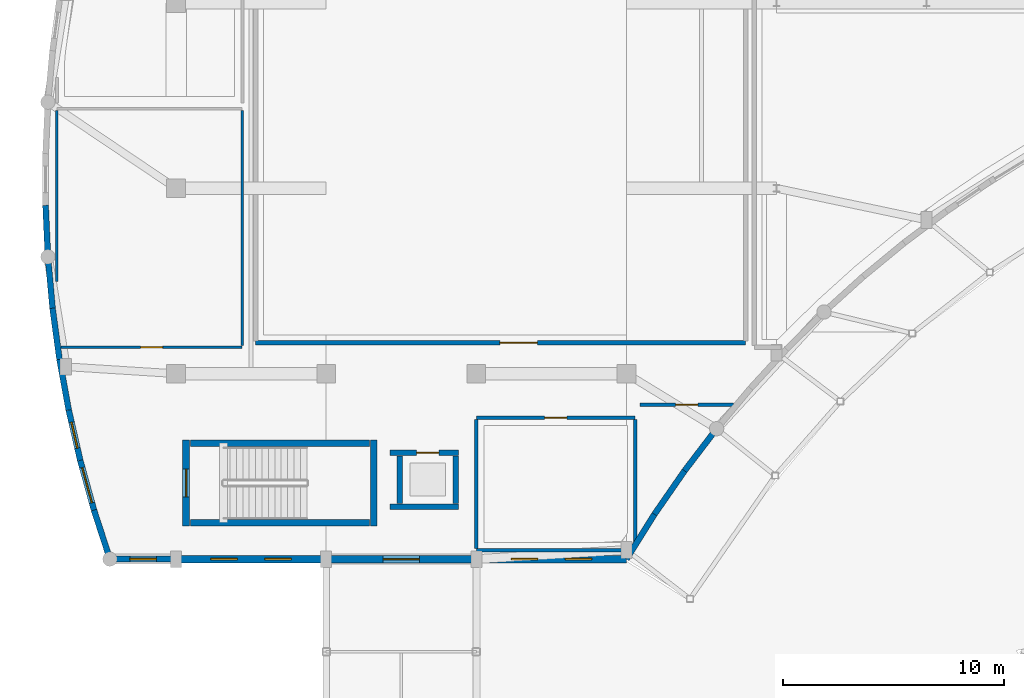
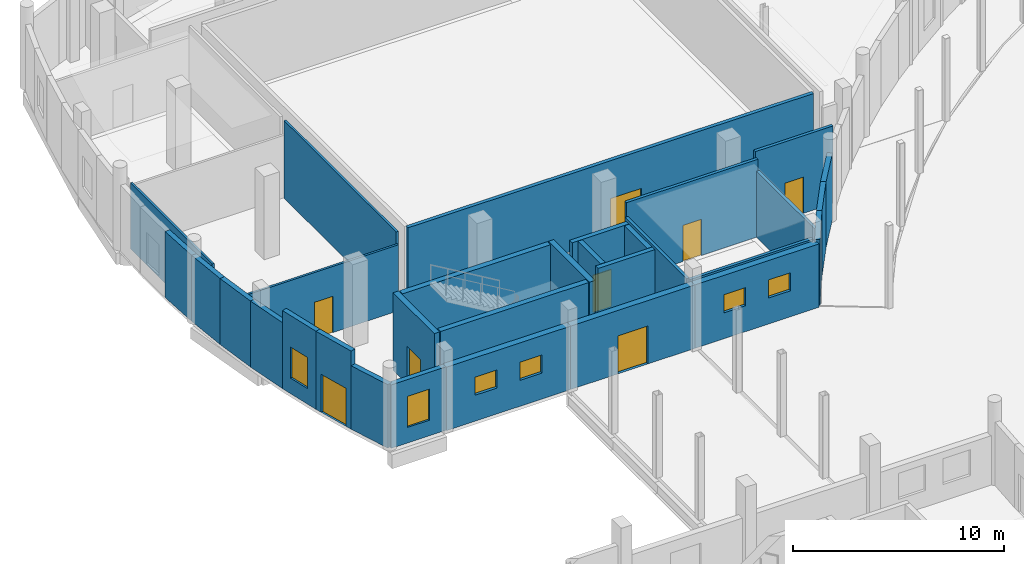
# One storey, part 65 of 97: 31 walls, 8 doors, 6 windows, 14 openings.
"""IFC4 building model written with IfcOpenShell, lengths in metres."""

from ifc_helpers import new_model, si_unit, direction, frame, frame_2d, origin, place, context, subcontext, project, spatial, rectangle, extrude, material, layer, layer_set, type_object, element, fill, save


model = new_model("IFC4")

# Units and contexts
model_context = context("Model", 3, precision=1e-05, world=origin(), true_north=direction((0.0, 1.0)))
body_context = subcontext(model_context, "Body", "Model", "MODEL_VIEW")
ifc_project = project(units=[si_unit("LENGTHUNIT", "METRE"), si_unit("AREAUNIT", "SQUARE_METRE"), si_unit("VOLUMEUNIT", "CUBIC_METRE"), si_unit("PLANEANGLEUNIT", "RADIAN"), si_unit("MASSUNIT", "GRAM", prefix="KILO")], contexts=[model_context])

# Site, building, storey
site_placement = place(None, origin())
site = spatial("IfcSite", under=ifc_project, at=site_placement, CompositionType="ELEMENT")
building_placement = place(site_placement, origin())
building = spatial("IfcBuilding", under=site, at=building_placement, Name="Kisaragi Civic Commons", CompositionType="ELEMENT")
storey_placement = place(building_placement, origin())
storey = spatial("IfcBuildingStorey", under=building, at=storey_placement, Name="L00", CompositionType="ELEMENT", Elevation=0.0)

# Wall, openings, windows
ifc_material_1 = material(Name="Insulated Tokoname terracotta cavity wall", Category="masonry")
ifc_layer_1 = layer(ifc_material_1, 0.35009765625, Name="Insulated Tokoname terracotta cavity wall", Category="masonry")
ifc_layer_set_1 = layer_set([ifc_layer_1], Name="Insulated Tokoname terracotta cavity wall")
wall_type_1 = type_object("IfcWallType", Name="EW-02", PredefinedType="STANDARD", material=ifc_layer_set_1)
wall_1_placement = place(storey_placement, frame((27.199951171875, 79.199951171875, 0.0), z_axis=(0.0, 0.0, 1.0), x_axis=(-1.0, 0.0, 0.0)))
wall_1 = element("IfcWall", 1, at=wall_1_placement, inside=storey, type_object=wall_type_1, Name="V2 L00 exterior terracotta wall EW-02 179", PredefinedType="STANDARD", context=body_context, shape_type="SweptSolid", body=[
    extrude(rectangle(XDim=6.800048828125, YDim=0.35009765625, at=frame_2d((3.39990234375, 0.0))), origin(), (0.0, 0.0, 1.0), 3.669921875),
])
opening_1_placement = place(wall_1_placement, frame((1.575927734375, 0.0, 1.5)))
opening_1 = element("IfcOpeningElement", 2, at=opening_1_placement, cuts=wall_1, Name="Opening W-09", PredefinedType="OPENING", context=body_context, shape_type="SweptSolid", body=[
    extrude(rectangle(XDim=1.199951171875, YDim=1.050048828125, at=frame_2d((0.60009765625, 0.52490234375))), frame((0.0, 0.18505859375, 0.0), z_axis=(0.0, -1.0, 0.0), x_axis=(1.0, 0.0, 0.0)), (0.0, 0.0, 1.0), 0.3701171875),
])
opening_2_placement = place(wall_1_placement, frame((4.02392578125, 0.0, 1.5)))
opening_2 = element("IfcOpeningElement", 3, at=opening_2_placement, cuts=wall_1, Name="Opening W-09", PredefinedType="OPENING", context=body_context, shape_type="SweptSolid", body=[
    extrude(rectangle(XDim=1.199951171875, YDim=1.050048828125, at=frame_2d((0.60009765625, 0.52490234375))), frame((0.0, 0.18505859375, 0.0), z_axis=(0.0, -1.0, 0.0), x_axis=(1.0, 0.0, 0.0)), (0.0, 0.0, 1.0), 0.3701171875),
])
ifc_material_2 = material(Name="Thermally broken aluminium frame and low-E argon double glazing", Category="aluminium")
window_type_1 = type_object("IfcWindowType", Name="W-09", PartitioningType="SINGLE_PANEL", PredefinedType="WINDOW", material=ifc_material_2)
window_1_placement = place(opening_1_placement, origin())
window_1 = element("IfcWindow", 4, at=window_1_placement, inside=storey, type_object=window_type_1, Name="V2 L00 window W-09 51", OverallHeight=1.050048828125, OverallWidth=1.199951171875, PartitioningType="SINGLE_PANEL", PredefinedType="WINDOW", context=body_context, shape_type="SweptSolid", body=[
    extrude(rectangle(XDim=1.199951171875, YDim=1.050048828125, at=frame_2d((0.60009765625, 0.52490234375))), frame((0.0, 0.030029296875, 0.0), z_axis=(0.0, -1.0, 0.0), x_axis=(1.0, 0.0, 0.0)), (0.0, 0.0, 1.0), 0.06005859375),
])
fill(opening_1, window_1)
window_2_placement = place(opening_2_placement, origin())
window_2 = element("IfcWindow", 5, at=window_2_placement, inside=storey, type_object=window_type_1, Name="V2 L00 window W-09 52", OverallHeight=1.050048828125, OverallWidth=1.199951171875, PartitioningType="SINGLE_PANEL", PredefinedType="WINDOW", context=body_context, shape_type="SweptSolid", body=[
    extrude(rectangle(XDim=1.199951171875, YDim=1.050048828125, at=frame_2d((0.60009765625, 0.52490234375))), frame((0.0, 0.030029296875, 0.0), z_axis=(0.0, -1.0, 0.0), x_axis=(1.0, 0.0, 0.0)), (0.0, 0.0, 1.0), 0.06005859375),
])
fill(opening_2, window_2)

# Wall, opening, door
wall_2_placement = place(storey_placement, frame((20.39990234375, 79.199951171875, 0.0), z_axis=(0.0, 0.0, 1.0), x_axis=(-1.0, 0.0, 0.0)))
wall_2 = element("IfcWall", 6, at=wall_2_placement, inside=storey, type_object=wall_type_1, Name="V2 L00 exterior terracotta wall EW-02 180", PredefinedType="STANDARD", context=body_context, shape_type="SweptSolid", body=[
    extrude(rectangle(XDim=6.7998046875, YDim=0.35009765625, at=frame_2d((3.39990234375, 0.0))), origin(), (0.0, 0.0, 1.0), 3.669921875),
])
opening_3_placement = place(wall_2_placement, frame((2.574951171875, 0.0, 0.0)))
opening_3 = element("IfcOpeningElement", 7, at=opening_3_placement, cuts=wall_2, Name="Opening ED-D", PredefinedType="OPENING", context=body_context, shape_type="SweptSolid", body=[
    extrude(rectangle(XDim=1.64990234375, YDim=2.199951171875, at=frame_2d((0.824951171875, 1.10009765625))), frame((0.0, 0.18505859375, 0.0), z_axis=(0.0, -1.0, 0.0), x_axis=(1.0, 0.0, 0.0)), (0.0, 0.0, 1.0), 0.3701171875),
])
ifc_material_3 = material(Name="Thermally broken anodized aluminium glazed exit door", Category="aluminium")
door_type_1 = type_object("IfcDoorType", Name="ED-D", OperationType="NOTDEFINED", PredefinedType="DOOR", material=ifc_material_3)
door_1_placement = place(opening_3_placement, origin())
door_1 = element("IfcDoor", 8, at=door_1_placement, inside=storey, type_object=door_type_1, Name="Ground exterior exit and veranda door ED-D 11", OperationType="DOUBLE_DOOR_SINGLE_SWING", OverallHeight=2.199951171875, OverallWidth=1.64990234375, PredefinedType="DOOR", context=body_context, shape_type="SweptSolid", body=[
    extrude(rectangle(XDim=1.64990234375, YDim=2.199951171875, at=frame_2d((0.824951171875, 1.10009765625))), frame((0.0, 0.02490234375, 0.0), z_axis=(0.0, -1.0, 0.0), x_axis=(1.0, 0.0, 0.0)), (0.0, 0.0, 1.0), 0.050048828125),
])
fill(opening_3, door_1)

# Wall, openings, windows
wall_3_placement = place(storey_placement, frame((13.60009765625, 79.199951171875, 0.0), z_axis=(0.0, 0.0, 1.0), x_axis=(-1.0, 0.0, 0.0)))
wall_3 = element("IfcWall", 9, at=wall_3_placement, inside=storey, type_object=wall_type_1, Name="V2 L00 exterior terracotta wall EW-02 181", PredefinedType="STANDARD", context=body_context, shape_type="SweptSolid", body=[
    extrude(rectangle(XDim=6.800048828125, YDim=0.35009765625, at=frame_2d((3.39990234375, 0.0))), origin(), (0.0, 0.0, 1.0), 3.669921875),
])
opening_4_placement = place(wall_3_placement, frame((1.575927734375, 0.0, 1.5)))
opening_4 = element("IfcOpeningElement", 10, at=opening_4_placement, cuts=wall_3, Name="Opening W-09", PredefinedType="OPENING", context=body_context, shape_type="SweptSolid", body=[
    extrude(rectangle(XDim=1.199951171875, YDim=1.050048828125, at=frame_2d((0.60009765625, 0.52490234375))), frame((0.0, 0.18505859375, 0.0), z_axis=(0.0, -1.0, 0.0), x_axis=(1.0, 0.0, 0.0)), (0.0, 0.0, 1.0), 0.3701171875),
])
opening_5_placement = place(wall_3_placement, frame((4.02392578125, 0.0, 1.5)))
opening_5 = element("IfcOpeningElement", 11, at=opening_5_placement, cuts=wall_3, Name="Opening W-09", PredefinedType="OPENING", context=body_context, shape_type="SweptSolid", body=[
    extrude(rectangle(XDim=1.199951171875, YDim=1.050048828125, at=frame_2d((0.60009765625, 0.52490234375))), frame((0.0, 0.18505859375, 0.0), z_axis=(0.0, -1.0, 0.0), x_axis=(1.0, 0.0, 0.0)), (0.0, 0.0, 1.0), 0.3701171875),
])
window_3_placement = place(opening_4_placement, origin())
window_3 = element("IfcWindow", 12, at=window_3_placement, inside=storey, type_object=window_type_1, Name="V2 L00 window W-09 53", OverallHeight=1.050048828125, OverallWidth=1.199951171875, PartitioningType="SINGLE_PANEL", PredefinedType="WINDOW", context=body_context, shape_type="SweptSolid", body=[
    extrude(rectangle(XDim=1.199951171875, YDim=1.050048828125, at=frame_2d((0.60009765625, 0.52490234375))), frame((0.0, 0.030029296875, 0.0), z_axis=(0.0, -1.0, 0.0), x_axis=(1.0, 0.0, 0.0)), (0.0, 0.0, 1.0), 0.06005859375),
])
fill(opening_4, window_3)
window_4_placement = place(opening_5_placement, origin())
window_4 = element("IfcWindow", 13, at=window_4_placement, inside=storey, type_object=window_type_1, Name="V2 L00 window W-09 54", OverallHeight=1.050048828125, OverallWidth=1.199951171875, PartitioningType="SINGLE_PANEL", PredefinedType="WINDOW", context=body_context, shape_type="SweptSolid", body=[
    extrude(rectangle(XDim=1.199951171875, YDim=1.050048828125, at=frame_2d((0.60009765625, 0.52490234375))), frame((0.0, 0.030029296875, 0.0), z_axis=(0.0, -1.0, 0.0), x_axis=(1.0, 0.0, 0.0)), (0.0, 0.0, 1.0), 0.06005859375),
])
fill(opening_5, window_4)

# Wall, opening, door
ifc_layer_2 = layer(ifc_material_1, 0.26806640625, Name="Insulated Tokoname terracotta cavity wall", Category="masonry")
ifc_layer_set_2 = layer_set([ifc_layer_2], Name="Insulated Tokoname terracotta cavity wall")
wall_type_2 = type_object("IfcWallType", Name="EW-04", PredefinedType="STANDARD", material=ifc_layer_set_2)
wall_4_placement = place(storey_placement, frame((3.07666015625, 81.42236328125, 0.0), z_axis=(0.0, 0.0, 1.0), x_axis=(-0.266377520109, 0.963868775706, 0.0)))
wall_4 = element("IfcWall", 14, at=wall_4_placement, inside=storey, type_object=wall_type_2, Name="V2 L00 exterior terracotta wall EW-04 127", PredefinedType="STANDARD", context=body_context, shape_type="SweptSolid", body=[
    extrude(rectangle(XDim=2.337158203125, YDim=0.26806640625, at=frame_2d((1.16845703125, 0.0))), origin(), (0.0, 0.0, 1.0), 4.52001953125),
])
opening_6_placement = place(wall_4_placement, frame((0.343505859375, 0.0, 0.0)))
opening_6 = element("IfcOpeningElement", 15, at=opening_6_placement, cuts=wall_4, Name="Opening ED-D", PredefinedType="OPENING", context=body_context, shape_type="SweptSolid", body=[
    extrude(rectangle(XDim=1.64990234375, YDim=2.199951171875, at=frame_2d((0.824951171875, 1.10009765625))), frame((0.0, 0.14404296875, 0.0), z_axis=(0.0, -1.0, 0.0), x_axis=(1.0, 0.0, 0.0)), (0.0, 0.0, 1.0), 0.2880859375),
])
door_2_placement = place(opening_6_placement, origin())
door_2 = element("IfcDoor", 16, at=door_2_placement, inside=storey, type_object=door_type_1, Name="Ground exterior exit and veranda door ED-D 06", OperationType="DOUBLE_DOOR_SINGLE_SWING", OverallHeight=2.199951171875, OverallWidth=1.64990234375, PredefinedType="DOOR", context=body_context, shape_type="SweptSolid", body=[
    extrude(rectangle(XDim=1.64990234375, YDim=2.199951171875, at=frame_2d((0.824951171875, 1.10009765625))), frame((0.0, 0.02490234375, 0.0), z_axis=(0.0, -1.0, 0.0), x_axis=(1.0, 0.0, 0.0)), (0.0, 0.0, 1.0), 0.050048828125),
])
fill(opening_6, door_2)

# Wall, opening, window
wall_5_placement = place(storey_placement, frame((2.4541015625, 83.675048828125, 0.0), z_axis=(0.0, 0.0, 1.0), x_axis=(-0.222898540551, 0.974841648998, 0.0)))
wall_5 = element("IfcWall", 17, at=wall_5_placement, inside=storey, type_object=wall_type_2, Name="V2 L00 exterior terracotta wall EW-04 128", PredefinedType="STANDARD", context=body_context, shape_type="SweptSolid", body=[
    extrude(rectangle(XDim=2.33740234375, YDim=0.26806640625, at=frame_2d((1.168701171875, 0.0))), origin(), (0.0, 0.0, 1.0), 4.52001953125),
])
opening_7_placement = place(wall_5_placement, frame((0.568603515625, 0.0, 0.89990234375)))
opening_7 = element("IfcOpeningElement", 18, at=opening_7_placement, cuts=wall_5, Name="Opening W-05", PredefinedType="OPENING", context=body_context, shape_type="SweptSolid", body=[
    extrude(rectangle(XDim=1.199951171875, YDim=1.800048828125, at=frame_2d((0.60009765625, 0.89990234375))), frame((0.0, 0.14404296875, 0.0), z_axis=(0.0, -1.0, 0.0), x_axis=(1.0, 0.0, 0.0)), (0.0, 0.0, 1.0), 0.2880859375),
])
window_type_2 = type_object("IfcWindowType", Name="W-05", PartitioningType="SINGLE_PANEL", PredefinedType="WINDOW", material=ifc_material_2)
window_5_placement = place(opening_7_placement, origin())
window_5 = element("IfcWindow", 19, at=window_5_placement, inside=storey, type_object=window_type_2, Name="V2 L00 window W-05 39", OverallHeight=1.800048828125, OverallWidth=1.199951171875, PartitioningType="SINGLE_PANEL", PredefinedType="WINDOW", context=body_context, shape_type="SweptSolid", body=[
    extrude(rectangle(XDim=1.199951171875, YDim=1.800048828125, at=frame_2d((0.60009765625, 0.89990234375))), frame((0.0, 0.030029296875, 0.0), z_axis=(0.0, -1.0, 0.0), x_axis=(1.0, 0.0, 0.0)), (0.0, 0.0, 1.0), 0.06005859375),
])
fill(opening_7, window_5)

# Walls
wall_6_placement = place(storey_placement, frame((1.93310546875, 85.95361328125, 0.0), z_axis=(0.0, 0.0, 1.0), x_axis=(-0.178848665452, 0.983876595344, 0.0)))
element("IfcWall", 20, at=wall_6_placement, inside=storey, type_object=wall_type_2, Name="V2 L00 exterior terracotta wall EW-04 129", PredefinedType="STANDARD", context=body_context, shape_type="SweptSolid", body=[
    extrude(rectangle(XDim=2.3369140625, YDim=0.26806640625, at=frame_2d((1.16845703125, 0.0))), origin(), (0.0, 0.0, 1.0), 3.820068359375),
])
for number, where, z_axis, x_axis, name in (
    (21, (1.51513671875, 88.2529296875, 0.0), (0.0, 0.0, 1.0), (-0.134441908153, 0.990921476875, 0.0), "V2 L00 exterior terracotta wall EW-04 130"),
    (22, (1.200927734375, 90.56884765625, 0.0), (0.0, 0.0, 1.0), (-0.089735106805, 0.995965667383, 0.0), "V2 L00 exterior terracotta wall EW-04 131"),
):
    element("IfcWall", number, at=place(storey_placement, frame(where, z_axis=z_axis, x_axis=x_axis)), inside=storey, type_object=wall_type_2, Name=name, PredefinedType="STANDARD", context=body_context, shape_type="SweptSolid", body=[
        extrude(rectangle(XDim=2.337158203125, YDim=0.26806640625, at=frame_2d((1.16845703125, 0.0))), origin(), (0.0, 0.0, 1.0), 3.820068359375),
    ])
wall_7_placement = place(storey_placement, frame((0.9912109375, 92.896484375, 0.0), z_axis=(0.0, 0.0, 1.0), x_axis=(-0.045019136319, 0.998986124711, 0.0)))
element("IfcWall", 23, at=wall_7_placement, inside=storey, type_object=wall_type_2, Name="V2 L00 exterior terracotta wall EW-04 132", PredefinedType="STANDARD", context=body_context, shape_type="SweptSolid", body=[
    extrude(rectangle(XDim=2.33740234375, YDim=0.26806640625, at=frame_2d((1.168701171875, 0.0))), origin(), (0.0, 0.0, 1.0), 3.820068359375),
])
wall_8_placement = place(storey_placement, frame((31.2880859375, 85.107421875, 0.0), z_axis=(0.0, 0.0, 1.0), x_axis=(-0.606337825748, -0.795207168647, 0.0)))
element("IfcWall", 24, at=wall_8_placement, inside=storey, type_object=wall_type_2, Name="V2 L00 exterior terracotta wall EW-04 176", PredefinedType="STANDARD", context=body_context, shape_type="SweptSolid", body=[
    extrude(rectangle(XDim=2.396484375, YDim=0.26806640625, at=frame_2d((1.1982421875, 0.0))), origin(), (0.0, 0.0, 1.0), 3.820068359375),
])
wall_9_placement = place(storey_placement, frame((29.8349609375, 83.20166015625, 0.0), z_axis=(0.0, 0.0, 1.0), x_axis=(-0.569029831822, -0.822316879613, 0.0)))
element("IfcWall", 25, at=wall_9_placement, inside=storey, type_object=wall_type_2, Name="V2 L00 exterior terracotta wall EW-04 177", PredefinedType="STANDARD", context=body_context, shape_type="SweptSolid", body=[
    extrude(rectangle(XDim=2.396240234375, YDim=0.26806640625, at=frame_2d((1.1982421875, 0.0))), origin(), (0.0, 0.0, 1.0), 3.820068359375),
])
wall_10_placement = place(storey_placement, frame((28.471435546875, 81.231201171875, 0.0), z_axis=(0.0, 0.0, 1.0), x_axis=(-0.530584902819, -0.847631795593, 0.0)))
element("IfcWall", 26, at=wall_10_placement, inside=storey, type_object=wall_type_2, Name="V2 L00 exterior terracotta wall EW-04 178", PredefinedType="STANDARD", context=body_context, shape_type="SweptSolid", body=[
    extrude(rectangle(XDim=2.396484375, YDim=0.26806640625, at=frame_2d((1.1982421875, 0.0))), origin(), (0.0, 0.0, 1.0), 3.820068359375),
])

# Wall, opening, window
wall_11_placement = place(storey_placement, frame((6.800048828125, 79.199951171875, 0.0), z_axis=(0.0, 0.0, 1.0), x_axis=(-1.0, 0.0, 0.0)))
wall_11 = element("IfcWall", 27, at=wall_11_placement, inside=storey, type_object=wall_type_2, Name="V2 L00 exterior terracotta wall EW-04 182", PredefinedType="STANDARD", context=body_context, shape_type="SweptSolid", body=[
    extrude(rectangle(XDim=3.0, YDim=0.26806640625, at=frame_2d((1.5, 0.0))), origin(), (0.0, 0.0, 1.0), 3.669921875),
])
opening_8_placement = place(wall_11_placement, frame((0.89990234375, 0.0, 0.89990234375)))
opening_8 = element("IfcOpeningElement", 28, at=opening_8_placement, cuts=wall_11, Name="Opening W-05", PredefinedType="OPENING", context=body_context, shape_type="SweptSolid", body=[
    extrude(rectangle(XDim=1.199951171875, YDim=1.800048828125, at=frame_2d((0.60009765625, 0.89990234375))), frame((0.0, 0.14404296875, 0.0), z_axis=(0.0, -1.0, 0.0), x_axis=(1.0, 0.0, 0.0)), (0.0, 0.0, 1.0), 0.2880859375),
])
window_6_placement = place(opening_8_placement, origin())
window_6 = element("IfcWindow", 29, at=window_6_placement, inside=storey, type_object=window_type_2, Name="V2 L00 window W-05 55", OverallHeight=1.800048828125, OverallWidth=1.199951171875, PartitioningType="SINGLE_PANEL", PredefinedType="WINDOW", context=body_context, shape_type="SweptSolid", body=[
    extrude(rectangle(XDim=1.199951171875, YDim=1.800048828125, at=frame_2d((0.60009765625, 0.89990234375))), frame((0.0, 0.030029296875, 0.0), z_axis=(0.0, -1.0, 0.0), x_axis=(1.0, 0.0, 0.0)), (0.0, 0.0, 1.0), 0.06005859375),
])
fill(opening_8, window_6)

# Wall
wall_12_placement = place(storey_placement, frame((3.800048828125, 79.199951171875, 0.0), z_axis=(0.0, 0.0, 1.0), x_axis=(-0.309513563402, 0.950895027892, 0.0)))
element("IfcWall", 30, at=wall_12_placement, inside=storey, type_object=wall_type_2, Name="V2 L00 exterior terracotta wall EW-04 183", PredefinedType="STANDARD", context=body_context, shape_type="SweptSolid", body=[
    extrude(rectangle(XDim=2.337158203125, YDim=0.26806640625, at=frame_2d((1.16845703125, 0.0))), origin(), (0.0, 0.0, 1.0), 3.669921875),
])

# Wall, opening, door
ifc_material_4 = material(Name="Fire-rated double gypsum board on steel studs with mineral wool", Category="steel")
ifc_layer_3 = layer(ifc_material_4, 0.199951171875, Name="Fire-rated double gypsum board on steel studs with mineral wool", Category="steel")
ifc_layer_set_3 = layer_set([ifc_layer_3], Name="Fire-rated double gypsum board on steel studs with mineral wool")
wall_type_3 = type_object("IfcWallType", Name="FW-01", PredefinedType="STANDARD", material=ifc_layer_set_3)
wall_13_placement = place(storey_placement, frame((32.594970703125, 89.0, 0.0), z_axis=(0.0, 0.0, 1.0), x_axis=(-1.0, 0.0, 0.0)))
wall_13 = element("IfcWall", 31, at=wall_13_placement, inside=storey, type_object=wall_type_3, Name="L00 S0-01 partition FW-01 90", PredefinedType="STANDARD", context=body_context, shape_type="SweptSolid", body=[
    extrude(rectangle(XDim=22.18994140625, YDim=0.199951171875, at=frame_2d((11.094970703125, 0.0))), origin(), (0.0, 0.0, 1.0), 4.489990234375),
])
opening_9_placement = place(wall_13_placement, frame((9.42529296875, 0.0, 0.0)))
opening_9 = element("IfcOpeningElement", 32, at=opening_9_placement, cuts=wall_13, Name="Opening ID-07", PredefinedType="OPENING", context=body_context, shape_type="SweptSolid", body=[
    extrude(rectangle(XDim=1.699951171875, YDim=2.300048828125, at=frame_2d((0.85009765625, 1.14990234375))), frame((0.0, 0.10986328125, 0.0), z_axis=(0.0, -1.0, 0.0), x_axis=(1.0, 0.0, 0.0)), (0.0, 0.0, 1.0), 0.219970703125),
])
ifc_material_5 = material(Name="Insulated fire-rated pressed steel door assembly", Category="steel")
door_type_2 = type_object("IfcDoorType", Name="ID-07", OperationType="NOTDEFINED", PredefinedType="DOOR", material=ifc_material_5)
door_3_placement = place(opening_9_placement, origin())
door_3 = element("IfcDoor", 33, at=door_3_placement, inside=storey, type_object=door_type_2, Name="Sports Hall door ID-07", OperationType="DOUBLE_DOOR_SINGLE_SWING", OverallHeight=2.300048828125, OverallWidth=1.699951171875, PredefinedType="DOOR", context=body_context, shape_type="SweptSolid", body=[
    extrude(rectangle(XDim=1.699951171875, YDim=2.300048828125, at=frame_2d((0.85009765625, 1.14990234375))), frame((0.0, 0.02490234375, 0.0), z_axis=(0.0, -1.0, 0.0), x_axis=(1.0, 0.0, 0.0)), (0.0, 0.0, 1.0), 0.050048828125),
])
fill(opening_9, door_3)

# Walls
ifc_material_6 = material(Name="Cementitious tile-backer board on galvanized steel studs", Category="steel")
ifc_layer_4 = layer(ifc_material_6, 0.16796875, Name="Cementitious tile-backer board on galvanized steel studs", Category="steel")
ifc_layer_set_4 = layer_set([ifc_layer_4], Name="Cementitious tile-backer board on galvanized steel studs")
wall_type_4 = type_object("IfcWallType", Name="IW-03", PredefinedType="STANDARD", material=ifc_layer_set_4)
wall_14_placement = place(storey_placement, frame((27.60009765625, 85.52490234375, 0.0), z_axis=(0.0, 0.0, 1.0), x_axis=(0.0, -1.0, 0.0)))
element("IfcWall", 34, at=wall_14_placement, inside=storey, type_object=wall_type_4, Name="L00 S0-05 partition IW-03 101", PredefinedType="STANDARD", context=body_context, shape_type="SweptSolid", body=[
    extrude(rectangle(XDim=5.5439453125, YDim=0.16796875, at=frame_2d((2.77197265625, 0.0))), origin(), (0.0, 0.0, 1.0), 3.820068359375),
])
wall_15_placement = place(storey_placement, frame((27.162109375, 79.60009765625, 0.0), z_axis=(0.0, 0.0, 1.0), x_axis=(-1.0, 0.0, 0.0)))
element("IfcWall", 35, at=wall_15_placement, inside=storey, type_object=wall_type_4, Name="L00 S0-05 partition IW-03 102", PredefinedType="STANDARD", context=body_context, shape_type="SweptSolid", body=[
    extrude(rectangle(XDim=6.757080078125, YDim=0.16796875, at=frame_2d((3.37841796875, 0.0))), origin(), (0.0, 0.0, 1.0), 3.669921875),
])
wall_16_placement = place(storey_placement, frame((20.39990234375, 79.675048828125, 0.0), z_axis=(0.0, 0.0, 1.0), x_axis=(0.0, 1.0, 0.0)))
element("IfcWall", 36, at=wall_16_placement, inside=storey, type_object=wall_type_4, Name="L00 S0-05 partition IW-03 103", PredefinedType="STANDARD", context=body_context, shape_type="SweptSolid", body=[
    extrude(rectangle(XDim=5.849853515625, YDim=0.16796875, at=frame_2d((2.9248046875, 0.0))), origin(), (0.0, 0.0, 1.0), 3.669921875),
])

# Wall, opening, door
wall_17_placement = place(storey_placement, frame((20.405029296875, 85.60009765625, 0.0), z_axis=(0.0, 0.0, 1.0), x_axis=(1.0, 0.0, 0.0)))
wall_17 = element("IfcWall", 37, at=wall_17_placement, inside=storey, type_object=wall_type_4, Name="L00 S0-05 partition IW-03 104", PredefinedType="STANDARD", context=body_context, shape_type="SweptSolid", body=[
    extrude(rectangle(XDim=7.18994140625, YDim=0.16796875, at=frame_2d((3.594970703125, 0.0))), origin(), (0.0, 0.0, 1.0), 4.489990234375),
])
opening_10_placement = place(wall_17_placement, frame((3.094970703125, 0.0, 0.0)))
opening_10 = element("IfcOpeningElement", 38, at=opening_10_placement, cuts=wall_17, Name="Opening ID-09", PredefinedType="OPENING", context=body_context, shape_type="SweptSolid", body=[
    extrude(rectangle(XDim=1.0, YDim=2.10009765625, at=frame_2d((0.5, 1.050048828125))), frame((0.0, 0.093994140625, 0.0), z_axis=(0.0, -1.0, 0.0), x_axis=(1.0, 0.0, 0.0)), (0.0, 0.0, 1.0), 0.18798828125),
])
ifc_material_7 = material(Name="Solid-core Japanese ash acoustic flush timber leaf in steel frame", Category="steel")
door_type_3 = type_object("IfcDoorType", Name="ID-09", OperationType="NOTDEFINED", PredefinedType="DOOR", material=ifc_material_7)
door_4_placement = place(opening_10_placement, origin())
door_4 = element("IfcDoor", 39, at=door_4_placement, inside=storey, type_object=door_type_3, Name="Changing Room Male door ID-09", OperationType="SINGLE_SWING_LEFT", OverallHeight=2.10009765625, OverallWidth=1.0, PredefinedType="DOOR", context=body_context, shape_type="SweptSolid", body=[
    extrude(rectangle(XDim=1.0, YDim=2.10009765625, at=frame_2d((0.5, 1.050048828125))), frame((0.0, 0.02490234375, 0.0), z_axis=(0.0, -1.0, 0.0), x_axis=(1.0, 0.0, 0.0)), (0.0, 0.0, 1.0), 0.050048828125),
])
fill(opening_10, door_4)

wall_18_placement = place(storey_placement, frame((27.804931640625, 86.199951171875, 0.0), z_axis=(0.0, 0.0, 1.0), x_axis=(1.0, 0.0, 0.0)))
wall_18 = element("IfcWall", 40, at=wall_18_placement, inside=storey, type_object=wall_type_4, Name="L00 S0-06 partition IW-03 105", PredefinedType="STANDARD", context=body_context, shape_type="SweptSolid", body=[
    extrude(rectangle(XDim=4.2568359375, YDim=0.16796875, at=frame_2d((2.12841796875, 0.0))), origin(), (0.0, 0.0, 1.0), 4.489990234375),
])
opening_11_placement = place(wall_18_placement, frame((1.62841796875, 0.0, 0.0)))
opening_11 = element("IfcOpeningElement", 41, at=opening_11_placement, cuts=wall_18, Name="Opening ID-09", PredefinedType="OPENING", context=body_context, shape_type="SweptSolid", body=[
    extrude(rectangle(XDim=1.0, YDim=2.10009765625, at=frame_2d((0.5, 1.050048828125))), frame((0.0, 0.093994140625, 0.0), z_axis=(0.0, -1.0, 0.0), x_axis=(1.0, 0.0, 0.0)), (0.0, 0.0, 1.0), 0.18798828125),
])
door_5_placement = place(opening_11_placement, origin())
door_5 = element("IfcDoor", 42, at=door_5_placement, inside=storey, type_object=door_type_3, Name="Changing Room Female door ID-09", OperationType="SINGLE_SWING_RIGHT", OverallHeight=2.10009765625, OverallWidth=1.0, PredefinedType="DOOR", context=body_context, shape_type="SweptSolid", body=[
    extrude(rectangle(XDim=1.0, YDim=2.10009765625, at=frame_2d((0.5, 1.050048828125))), frame((0.0, 0.02490234375, 0.0), z_axis=(0.0, -1.0, 0.0), x_axis=(1.0, 0.0, 0.0)), (0.0, 0.0, 1.0), 0.050048828125),
])
fill(opening_11, door_5)

ifc_material_8 = material(Name="Acoustic gypsum board on light-gauge steel studs", Category="steel")
ifc_layer_5 = layer(ifc_material_8, 0.1201171875, Name="Acoustic gypsum board on light-gauge steel studs", Category="steel")
ifc_layer_set_5 = layer_set([ifc_layer_5], Name="Acoustic gypsum board on light-gauge steel studs")
wall_type_5 = type_object("IfcWallType", Name="IW-04", PredefinedType="STANDARD", material=ifc_layer_set_5)
wall_19_placement = place(storey_placement, frame((9.794921875, 88.800048828125, 0.0), z_axis=(0.0, 0.0, 1.0), x_axis=(-1.0, 0.0, 0.0)))
wall_19 = element("IfcWall", 43, at=wall_19_placement, inside=storey, type_object=wall_type_5, Name="L00 S0-03 partition IW-04 94", PredefinedType="STANDARD", context=body_context, shape_type="SweptSolid", body=[
    extrude(rectangle(XDim=8.2119140625, YDim=0.1201171875, at=frame_2d((4.10595703125, 0.0))), origin(), (0.0, 0.0, 1.0), 3.820068359375),
])
opening_12_placement = place(wall_19_placement, frame((3.60595703125, 0.0, 0.0)))
opening_12 = element("IfcOpeningElement", 44, at=opening_12_placement, cuts=wall_19, Name="Opening ID-09", PredefinedType="OPENING", context=body_context, shape_type="SweptSolid", body=[
    extrude(rectangle(XDim=1.0, YDim=2.10009765625, at=frame_2d((0.5, 1.050048828125))), frame((0.0, 0.070068359375, 0.0), z_axis=(0.0, -1.0, 0.0), x_axis=(1.0, 0.0, 0.0)), (0.0, 0.0, 1.0), 0.14013671875),
])
door_6_placement = place(opening_12_placement, origin())
door_6 = element("IfcDoor", 45, at=door_6_placement, inside=storey, type_object=door_type_3, Name="Sports Equipment Store door ID-09", OperationType="SINGLE_SWING_LEFT", OverallHeight=2.10009765625, OverallWidth=1.0, PredefinedType="DOOR", context=body_context, shape_type="SweptSolid", body=[
    extrude(rectangle(XDim=1.0, YDim=2.10009765625, at=frame_2d((0.5, 1.050048828125))), frame((0.0, 0.02490234375, 0.0), z_axis=(0.0, -1.0, 0.0), x_axis=(1.0, 0.0, 0.0)), (0.0, 0.0, 1.0), 0.050048828125),
])
fill(opening_12, door_6)

# Walls
wall_20_placement = place(storey_placement, frame((1.39990234375, 91.778076171875, 0.0), z_axis=(0.0, 0.0, 1.0), x_axis=(0.0, 1.0, 0.0)))
element("IfcWall", 46, at=wall_20_placement, inside=storey, type_object=wall_type_5, Name="L00 S0-03 partition IW-04 95", PredefinedType="STANDARD", context=body_context, shape_type="SweptSolid", body=[
    extrude(rectangle(XDim=7.746826171875, YDim=0.1201171875, at=frame_2d((3.87353515625, 0.0))), origin(), (0.0, 0.0, 1.0), 3.820068359375),
])
wall_21_placement = place(storey_placement, frame((9.800048828125, 99.52490234375, 0.0), z_axis=(0.0, 0.0, 1.0), x_axis=(0.0, -1.0, 0.0)))
element("IfcWall", 47, at=wall_21_placement, inside=storey, type_object=wall_type_5, Name="L00 S0-03 partition IW-04 97", PredefinedType="STANDARD", context=body_context, shape_type="SweptSolid", body=[
    extrude(rectangle(XDim=10.64990234375, YDim=0.1201171875, at=frame_2d((5.324951171875, 0.0))), origin(), (0.0, 0.0, 1.0), 4.489990234375),
])

# Wall, opening, door
ifc_material_9 = material(Name="Concrete Fc36", Category="concrete")
ifc_layer_6 = layer(ifc_material_9, 0.300048828125, Name="Concrete Fc36", Category="concrete")
ifc_layer_set_6 = layer_set([ifc_layer_6], Name="Concrete Fc36")
wall_type_6 = type_object("IfcWallType", Name="SW-01", PredefinedType="SHEAR", material=ifc_layer_set_6)
wall_22_placement = place(storey_placement, frame((7.25, 84.60009765625, 0.0), z_axis=(0.0, 0.0, 1.0), x_axis=(0.0, -1.0, 0.0)))
wall_22 = element("IfcWall", 48, at=wall_22_placement, inside=storey, type_object=wall_type_6, Name="ST-S1 L00 entry RC shear wall", PredefinedType="SHEAR", context=body_context, shape_type="SweptSolid", body=[
    extrude(rectangle(XDim=3.900146484375, YDim=0.300048828125, at=frame_2d((1.9501953125, 0.0))), origin(), (0.0, 0.0, 1.0), 4.4951171875),
])
opening_13_placement = place(wall_22_placement, frame((1.324951171875, 0.0, 0.0)))
opening_13 = element("IfcOpeningElement", 49, at=opening_13_placement, cuts=wall_22, Name="Opening SD-01", PredefinedType="OPENING", context=body_context, shape_type="SweptSolid", body=[
    extrude(rectangle(XDim=1.25, YDim=2.199951171875, at=frame_2d((0.625, 1.10009765625))), frame((0.0, 0.159912109375, 0.0), z_axis=(0.0, -1.0, 0.0), x_axis=(1.0, 0.0, 0.0)), (0.0, 0.0, 1.0), 0.320068359375),
])
door_type_4 = type_object("IfcDoorType", Name="SD-01", OperationType="NOTDEFINED", PredefinedType="DOOR", material=ifc_material_5)
door_7_placement = place(opening_13_placement, frame((1.25, 0.0, 0.0), z_axis=(0.0, 0.0, 1.0), x_axis=(-1.0, 0.0, 0.0)))
door_7 = element("IfcDoor", 50, at=door_7_placement, inside=storey, type_object=door_type_4, Name="ST-S1 L00 stair fire door 29", OperationType="SINGLE_SWING_LEFT", OverallHeight=2.199951171875, OverallWidth=1.25, PredefinedType="DOOR", context=body_context, shape_type="SweptSolid", body=[
    extrude(rectangle(XDim=1.25, YDim=2.199951171875, at=frame_2d((0.625, 1.10009765625))), frame((0.0, 0.02490234375, 0.0), z_axis=(0.0, -1.0, 0.0), x_axis=(1.0, 0.0, 0.0)), (0.0, 0.0, 1.0), 0.050048828125),
])
fill(opening_13, door_7)

# Walls
wall_23_placement = place(storey_placement, frame((7.449951171875, 80.85009765625, 0.0), z_axis=(0.0, 0.0, 1.0), x_axis=(1.0, 0.0, 0.0)))
element("IfcWall", 51, at=wall_23_placement, inside=storey, type_object=wall_type_6, Name="ST-S1 L00 right RC shear wall", PredefinedType="SHEAR", context=body_context, shape_type="SweptSolid", body=[
    extrude(rectangle(XDim=8.10009765625, YDim=0.300048828125, at=frame_2d((4.050048828125, 0.0))), origin(), (0.0, 0.0, 1.0), 4.4951171875),
])
wall_24_placement = place(storey_placement, frame((15.75, 80.699951171875, 0.0), z_axis=(0.0, 0.0, 1.0), x_axis=(0.0, 1.0, 0.0)))
element("IfcWall", 52, at=wall_24_placement, inside=storey, type_object=wall_type_6, Name="ST-S1 L00 far RC shear wall", PredefinedType="SHEAR", context=body_context, shape_type="SweptSolid", body=[
    extrude(rectangle(XDim=3.900146484375, YDim=0.300048828125, at=frame_2d((1.9501953125, 0.0))), origin(), (0.0, 0.0, 1.0), 4.4951171875),
])
wall_25_placement = place(storey_placement, frame((15.550048828125, 84.449951171875, 0.0), z_axis=(0.0, 0.0, 1.0), x_axis=(-1.0, 0.0, 0.0)))
element("IfcWall", 53, at=wall_25_placement, inside=storey, type_object=wall_type_6, Name="ST-S1 L00 left RC shear wall", PredefinedType="SHEAR", context=body_context, shape_type="SweptSolid", body=[
    extrude(rectangle(XDim=8.10009765625, YDim=0.300048828125, at=frame_2d((4.050048828125, 0.0))), origin(), (0.0, 0.0, 1.0), 4.4951171875),
])
ifc_layer_7 = layer(ifc_material_9, 0.25, Name="Concrete Fc36", Category="concrete")
ifc_layer_set_7 = layer_set([ifc_layer_7], Name="Concrete Fc36")
wall_type_7 = type_object("IfcWallType", Name="SW-02", PredefinedType="SHEAR", material=ifc_layer_set_7)
wall_26_placement = place(storey_placement, frame((19.60009765625, 81.574951171875, 0.0), z_axis=(0.0, 0.0, 1.0), x_axis=(-1.0, 0.0, 0.0)))
element("IfcWall", 54, at=wall_26_placement, inside=storey, type_object=wall_type_7, Name="EL-S1 L00 south lift shaft wall", PredefinedType="SHEAR", context=body_context, shape_type="SweptSolid", body=[
    extrude(rectangle(XDim=3.10009765625, YDim=0.25, at=frame_2d((1.550048828125, 0.0))), origin(), (0.0, 0.0, 1.0), 4.52001953125),
])
wall_27_placement = place(storey_placement, frame((16.925048828125, 81.719970703125, 0.0), z_axis=(0.0, 0.0, 1.0), x_axis=(0.0, 1.0, 0.0)))
element("IfcWall", 55, at=wall_27_placement, inside=storey, type_object=wall_type_7, Name="EL-S1 L00 west lift shaft wall", PredefinedType="SHEAR", context=body_context, shape_type="SweptSolid", body=[
    extrude(rectangle(XDim=2.159912109375, YDim=0.25, at=frame_2d((1.080078125, 0.0))), origin(), (0.0, 0.0, 1.0), 4.52001953125),
])

# Wall, opening, door
wall_28_placement = place(storey_placement, frame((16.5, 84.02490234375, 0.0), z_axis=(0.0, 0.0, 1.0), x_axis=(1.0, 0.0, 0.0)))
wall_28 = element("IfcWall", 56, at=wall_28_placement, inside=storey, type_object=wall_type_7, Name="EL-S1 L00 north lift shaft wall", PredefinedType="SHEAR", context=body_context, shape_type="SweptSolid", body=[
    extrude(rectangle(XDim=3.10009765625, YDim=0.25, at=frame_2d((1.550048828125, 0.0))), origin(), (0.0, 0.0, 1.0), 4.52001953125),
])
opening_14_placement = place(wall_28_placement, frame((1.199951171875, 0.0, 0.0)))
opening_14 = element("IfcOpeningElement", 57, at=opening_14_placement, cuts=wall_28, Name="Opening LD-02", PredefinedType="OPENING", context=body_context, shape_type="SweptSolid", body=[
    extrude(rectangle(XDim=1.0, YDim=2.14990234375, at=frame_2d((0.5, 1.074951171875))), frame((0.0, 0.135009765625, 0.0), z_axis=(0.0, -1.0, 0.0), x_axis=(1.0, 0.0, 0.0)), (0.0, 0.0, 1.0), 0.27001953125),
])
ifc_material_10 = material(Name="Brushed stainless steel bi-parting landing door", Category="steel")
door_type_5 = type_object("IfcDoorType", Name="LD-02", OperationType="NOTDEFINED", PredefinedType="DOOR", material=ifc_material_10)
door_8_placement = place(opening_14_placement, origin())
door_8 = element("IfcDoor", 58, at=door_8_placement, inside=storey, type_object=door_type_5, Name="EL-S1 L00 sliding lift landing door", OperationType="DOUBLE_DOOR_SLIDING", OverallHeight=2.14990234375, OverallWidth=1.0, PredefinedType="DOOR", context=body_context, shape_type="SweptSolid", body=[
    extrude(rectangle(XDim=1.0, YDim=2.14990234375, at=frame_2d((0.5, 1.074951171875))), frame((0.0, 0.02490234375, 0.0), z_axis=(0.0, -1.0, 0.0), x_axis=(1.0, 0.0, 0.0)), (0.0, 0.0, 1.0), 0.050048828125),
])
fill(opening_14, door_8)

# Wall
wall_29_placement = place(storey_placement, frame((19.47509765625, 83.8798828125, 0.0), z_axis=(0.0, 0.0, 1.0), x_axis=(0.0, -1.0, 0.0)))
element("IfcWall", 59, at=wall_29_placement, inside=storey, type_object=wall_type_7, Name="EL-S1 L00 east lift shaft wall", PredefinedType="SHEAR", context=body_context, shape_type="SweptSolid", body=[
    extrude(rectangle(XDim=2.159912109375, YDim=0.25, at=frame_2d((1.080078125, 0.0))), origin(), (0.0, 0.0, 1.0), 4.52001953125),
])

save(model, "model.ifc")
